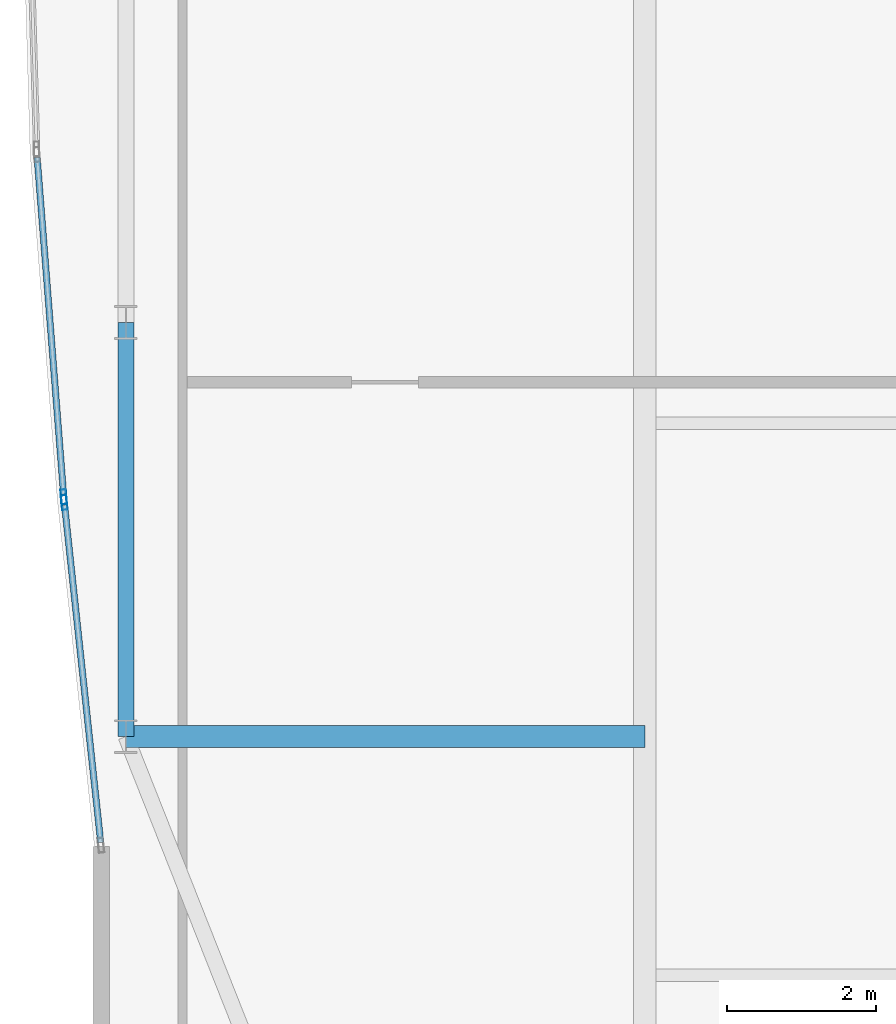
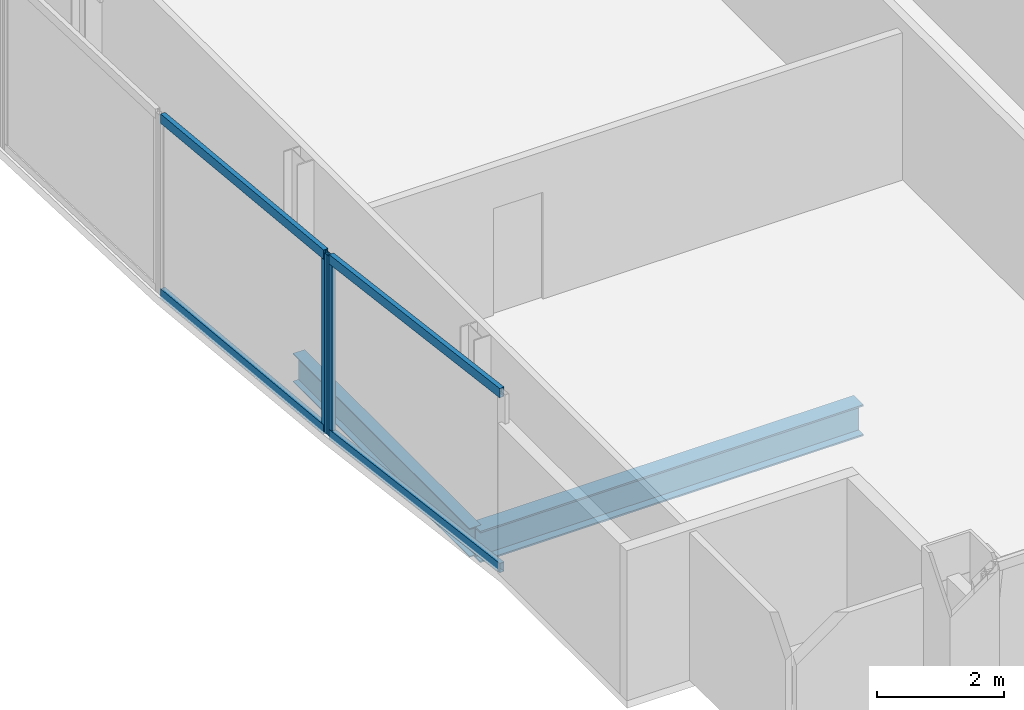
# One storey, part 5 of 27: 6 members, 2 beams, 2 elements without a shape of their own.
"""IFC4 building model written with IfcOpenShell, lengths in metres."""

from ifc_helpers import new_model, si_unit, direction, frame, origin, origin_2d, place, context, subcontext, project, spatial, hollow_rectangle, i_section, extrude, material, material_profile, profile_set, type_object, element, aggregate, save


model = new_model("IFC4")

# Units and contexts
model_context = context("Model", 3, precision=1e-05, world=origin(), true_north=direction((0.0, 1.0)))
body_context = subcontext(model_context, "Body", "Model", "MODEL_VIEW")
ifc_project = project(units=[si_unit("LENGTHUNIT", "METRE"), si_unit("AREAUNIT", "SQUARE_METRE"), si_unit("VOLUMEUNIT", "CUBIC_METRE"), si_unit("PLANEANGLEUNIT", "RADIAN"), si_unit("MASSUNIT", "GRAM", prefix="KILO")], contexts=[model_context])

# Site, building, storey
site_placement = place(None, origin())
site = spatial("IfcSite", under=ifc_project, at=site_placement, CompositionType="ELEMENT")
building_placement = place(site_placement, origin())
building = spatial("IfcBuilding", under=site, at=building_placement, Name="Khoronbel Lancet Exchange", CompositionType="ELEMENT")
storey_placement = place(building_placement, frame((0.0, 0.0, 343.39990234375)))
storey = spatial("IfcBuildingStorey", under=building, at=storey_placement, Name="L89", CompositionType="ELEMENT", Elevation=343.39990234375)

# Beams
ifc_material_1 = material(Name="Steel S355", Category="steel")
ifc_material_profile_1 = material_profile(ifc_material_1, i_section(OverallWidth=0.300048828125, OverallDepth=0.60009765625, WebThickness=0.015380859375, FlangeThickness=0.030029296875, at=origin_2d()), Name="HEB 600")
ifc_profile_set_1 = profile_set([ifc_material_profile_1], Name="Steel S355")
beam_type_1 = type_object("IfcBeamType", Name="BM-BG5", PredefinedType="BEAM", material=ifc_profile_set_1)
beam_1_placement = place(storey_placement, frame((11.27001953125, 19.199951171875, -0.4599609375), z_axis=(1.0, 0.0, 0.0), x_axis=(0.0, 1.0, 0.0)))
element("IfcBeam", 1, at=beam_1_placement, inside=storey, type_object=beam_type_1, Name="Level L89 west lens tie girder LG1W", PredefinedType="BEAM", context=body_context, shape_type="SweptSolid", body=[
    extrude(i_section(OverallWidth=0.300048828125, OverallDepth=0.60009765625, WebThickness=0.015380859375, FlangeThickness=0.030029296875, at=origin_2d()), origin(), (0.0, 0.0, 1.0), 6.955078125),
])
ifc_material_profile_2 = material_profile(ifc_material_1, i_section(OverallWidth=0.2099609375, OverallDepth=0.550048828125, WebThickness=0.010986328125, FlangeThickness=0.01708984375, at=origin_2d()), Name="IPE 550")
ifc_profile_set_2 = profile_set([ifc_material_profile_2], Name="Steel S355")
beam_type_2 = type_object("IfcBeamType", Name="BM-BSP3", PredefinedType="SPANDREL", material=ifc_profile_set_2)
beam_2_placement = place(storey_placement, frame((11.27001953125, 24.75, -0.434814453125), z_axis=(0.0, -1.0, 0.0), x_axis=(1.0, 0.0, 0.0)))
element("IfcBeam", 2, at=beam_2_placement, inside=storey, type_object=beam_type_2, Name="Level L89 perimeter spandrel beam SP18", PredefinedType="SPANDREL", context=body_context, shape_type="SweptSolid", body=[
    extrude(i_section(OverallWidth=0.2099609375, OverallDepth=0.550048828125, WebThickness=0.010986328125, FlangeThickness=0.01708984375, at=origin_2d()), origin(), (0.0, 0.0, 1.0), 5.550048828125),
])

# Curtain wall, member
ifc_material_2 = material(Name="Low-E Solar Control Insulating Glass", Category="glass")
curtain_wall_type = type_object("IfcCurtainWallType", Name="CW-4", PredefinedType="NOTDEFINED", material=ifc_material_2)
curtain_wall_1_placement = place(storey_placement, origin())
curtain_wall_1 = element("IfcCurtainWall", 3, at=curtain_wall_1_placement, inside=storey, type_object=curtain_wall_type, Name="Unitised curtain wall CW-L89-E04", PredefinedType="NOTDEFINED")
ifc_material_3 = material(Name="Bronze-Anodised Aluminium 6063-T6", Category="aluminium")
ifc_material_profile_3 = material_profile(ifc_material_3, hollow_rectangle(XDim=0.074951171875, YDim=0.199951171875, WallThickness=0.0048828125, at=origin_2d()), Name="ALU MULLION 75x200")
ifc_profile_set_3 = profile_set([ifc_material_profile_3], Name="Bronze-Anodised Aluminium 6063-T6")
member_type_1 = type_object("IfcMemberType", Name="MEM-CWM2", PredefinedType="MULLION", material=ifc_profile_set_3)
member_1_placement = place(storey_placement, frame((10.443603515625, 22.337646484375, 0.0), z_axis=(0.0, 0.0, 1.0), x_axis=(-0.994308670645, -0.106537634098, 0.0)))
member_1 = element("IfcMember", 4, at=member_1_placement, type_object=member_type_1, Name="CW4 mullion 2", PredefinedType="MULLION", context=body_context, shape_type="SweptSolid", body=[
    extrude(hollow_rectangle(XDim=0.074951171875, YDim=0.199951171875, WallThickness=0.0048828125, at=origin_2d()), origin(), (0.0, 0.0, 1.0), 3.440185546875),
])

curtain_wall_2_placement = place(storey_placement, origin())
curtain_wall_2 = element("IfcCurtainWall", 5, at=curtain_wall_2_placement, inside=storey, type_object=curtain_wall_type, Name="Unitised curtain wall CW-L89-E05", PredefinedType="NOTDEFINED")
member_2_placement = place(storey_placement, frame((10.436767578125, 22.412353515625, 0.0), z_axis=(0.0, 0.0, 1.0), x_axis=(-0.996938933306, -0.078184162452, 0.0)))
member_2 = element("IfcMember", 6, at=member_2_placement, type_object=member_type_1, Name="CW4 mullion 1", PredefinedType="MULLION", context=body_context, shape_type="SweptSolid", body=[
    extrude(hollow_rectangle(XDim=0.074951171875, YDim=0.199951171875, WallThickness=0.0048828125, at=origin_2d()), origin(), (0.0, 0.0, 1.0), 3.440185546875),
])

# Member
ifc_material_profile_4 = material_profile(ifc_material_3, hollow_rectangle(XDim=0.0849609375, YDim=0.179931640625, WallThickness=0.0048828125, at=origin_2d()), Name="ALU TRANSOM 85x180")
ifc_profile_set_4 = profile_set([ifc_material_profile_4], Name="Bronze-Anodised Aluminium 6063-T6")
member_type_2 = type_object("IfcMemberType", Name="MEM-CWT1", PredefinedType="USERDEFINED", material=ifc_profile_set_4)
member_3_placement = place(storey_placement, frame((10.93212890625, 17.779296875, 0.04248046875), z_axis=(-0.106576726349, 0.994304481233, 0.0), x_axis=(-0.994304481233, -0.106576726349, 0.0)))
member_3 = element("IfcMember", 7, at=member_3_placement, type_object=member_type_2, Name="CW4 transom 1.1", ObjectType="TRANSOM", PredefinedType="USERDEFINED", context=body_context, shape_type="SweptSolid", body=[
    extrude(hollow_rectangle(XDim=0.0849609375, YDim=0.179931640625, WallThickness=0.0048828125, at=origin_2d()), origin(), (0.0, 0.0, 1.0), 4.547119140625),
])

member_4_placement = place(storey_placement, frame((10.93212890625, 17.779296875, 3.397705078125), z_axis=(-0.106576726349, 0.994304481233, 0.0), x_axis=(-0.994304481233, -0.106576726349, 0.0)))
member_4 = element("IfcMember", 8, at=member_4_placement, type_object=member_type_2, Name="CW4 transom 1.2", ObjectType="TRANSOM", PredefinedType="USERDEFINED", context=body_context, shape_type="SweptSolid", body=[
    extrude(hollow_rectangle(XDim=0.0849609375, YDim=0.179931640625, WallThickness=0.0048828125, at=origin_2d()), origin(), (0.0, 0.0, 1.0), 4.547119140625),
])

aggregate(curtain_wall_1, [member_1, member_3, member_4])

member_5_placement = place(storey_placement, frame((10.433837890625, 22.44970703125, 0.04248046875), z_axis=(-0.078189143598, 0.996938542651, 0.0), x_axis=(-0.996938542651, -0.078189143598, 0.0)))
member_5 = element("IfcMember", 9, at=member_5_placement, type_object=member_type_2, Name="CW4 transom 1.1", ObjectType="TRANSOM", PredefinedType="USERDEFINED", context=body_context, shape_type="SweptSolid", body=[
    extrude(hollow_rectangle(XDim=0.0849609375, YDim=0.179931640625, WallThickness=0.0048828125, at=origin_2d()), origin(), (0.0, 0.0, 1.0), 4.527587890625),
])

member_6_placement = place(storey_placement, frame((10.433837890625, 22.44970703125, 3.397705078125), z_axis=(-0.078189143598, 0.996938542651, 0.0), x_axis=(-0.996938542651, -0.078189143598, 0.0)))
member_6 = element("IfcMember", 10, at=member_6_placement, type_object=member_type_2, Name="CW4 transom 1.2", ObjectType="TRANSOM", PredefinedType="USERDEFINED", context=body_context, shape_type="SweptSolid", body=[
    extrude(hollow_rectangle(XDim=0.0849609375, YDim=0.179931640625, WallThickness=0.0048828125, at=origin_2d()), origin(), (0.0, 0.0, 1.0), 4.527587890625),
])

aggregate(curtain_wall_2, [member_2, member_5, member_6])

save(model, "model.ifc")
